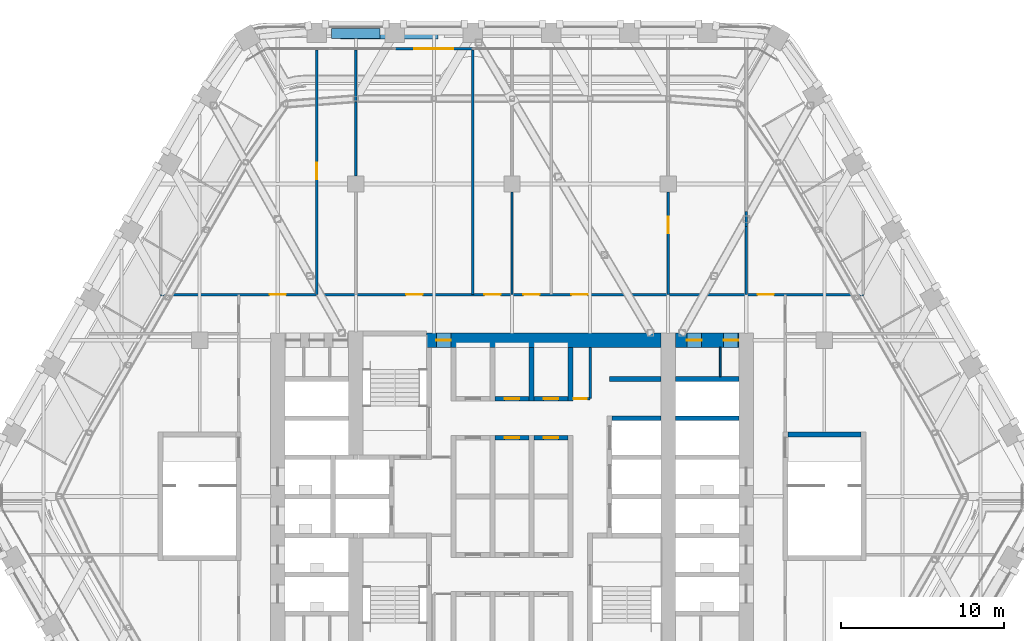
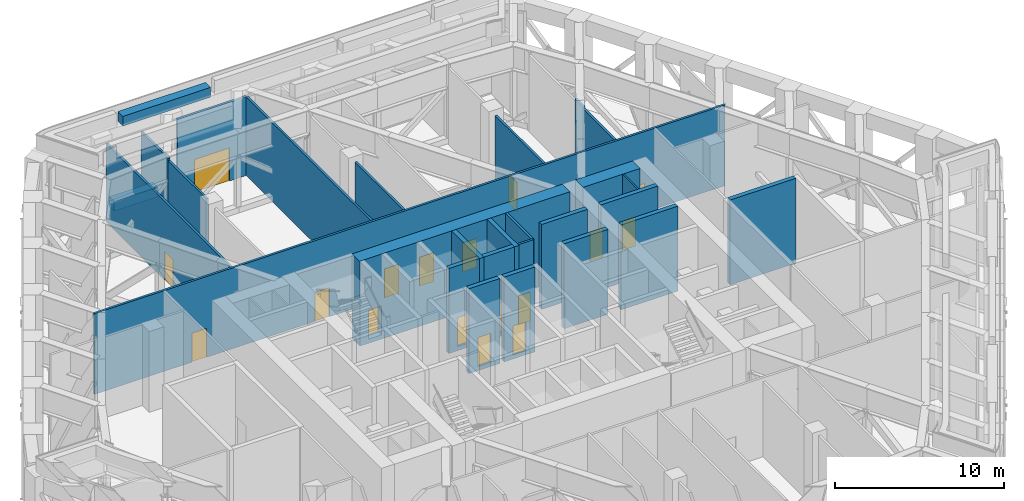
# One storey, part 19 of 27: 28 walls, 17 doors, 17 openings.
"""IFC4 building model written with IfcOpenShell, lengths in metres."""

from ifc_helpers import new_model, si_unit, direction, frame, frame_2d, origin, place, context, subcontext, project, spatial, rectangle, extrude, material, layer, layer_set, type_object, element, fill, save


model = new_model("IFC4")

# Units and contexts
model_context = context("Model", 3, precision=1e-05, world=origin(), true_north=direction((0.0, 1.0)))
body_context = subcontext(model_context, "Body", "Model", "MODEL_VIEW")
ifc_project = project(units=[si_unit("LENGTHUNIT", "METRE"), si_unit("AREAUNIT", "SQUARE_METRE"), si_unit("VOLUMEUNIT", "CUBIC_METRE"), si_unit("PLANEANGLEUNIT", "RADIAN"), si_unit("MASSUNIT", "GRAM", prefix="KILO")], contexts=[model_context])

# Site, building, storey
site_placement = place(None, origin())
site = spatial("IfcSite", under=ifc_project, at=site_placement, CompositionType="ELEMENT")
building_placement = place(site_placement, origin())
building = spatial("IfcBuilding", under=site, at=building_placement, Name="Kolab Exchange Tower", CompositionType="ELEMENT")
storey_placement = place(building_placement, frame((0.0, 0.0, 127.39990234375)))
storey = spatial("IfcBuildingStorey", under=building, at=storey_placement, Name="L25", CompositionType="ELEMENT", Elevation=127.39990234375)

# Wall, opening, door
ifc_material_1 = material(Name="Concrete C70/85", Category="concrete")
ifc_layer_1 = layer(ifc_material_1, 0.89990234375)
ifc_layer_set_1 = layer_set([ifc_layer_1], Name="Concrete C70/85")
wall_type_1 = type_object("IfcWallType", Name="CORE WALL 900 C70/85", PredefinedType="SHEAR", material=ifc_layer_set_1)
wall_1_placement = place(storey_placement, frame((-5.25, 9.60009765625, -0.2998046875), z_axis=(0.0, 0.0, 1.0), x_axis=(1.0, 0.0, 0.0)))
wall_1 = element("IfcWall", 1, at=wall_1_placement, inside=storey, type_object=wall_type_1, Name="wall/L25/core/052", PredefinedType="SHEAR", context=body_context, shape_type="SweptSolid", body=[
    extrude(rectangle(XDim=14.39990234375, YDim=0.89990234375, at=frame_2d((7.199951171875, 0.0))), origin(), (0.0, 0.0, 1.0), 6.14990234375),
])
opening_1_placement = place(wall_1_placement, frame((0.60009765625, 0.0, 0.300048828125)))
opening_1 = element("IfcOpeningElement", 2, at=opening_1_placement, cuts=wall_1, Name="Opening D6-273", PredefinedType="OPENING", context=body_context, shape_type="SweptSolid", body=[
    extrude(rectangle(XDim=0.89990234375, YDim=2.10009765625, at=frame_2d((0.449951171875, 1.050048828125))), frame((0.0, 0.4599609375, 0.0), z_axis=(0.0, -1.0, 0.0), x_axis=(1.0, 0.0, 0.0)), (0.0, 0.0, 1.0), 0.919921875),
])
ifc_material_2 = material(Name="Steel S235", Category="steel")
door_type_1 = type_object("IfcDoorType", Name="CORE DOOR 900 EI 120", OperationType="SINGLE_SWING_LEFT", PredefinedType="DOOR", material=ifc_material_2)
door_1_placement = place(opening_1_placement, frame((0.89990234375, 0.0, 0.0), z_axis=(0.0, 0.0, 1.0), x_axis=(-1.0, 0.0, 0.0)))
door_1 = element("IfcDoor", 3, at=door_1_placement, inside=storey, type_object=door_type_1, Name="Core lobby door", OperationType="SINGLE_SWING_RIGHT", OverallHeight=2.10009765625, OverallWidth=0.89990234375, PredefinedType="DOOR", context=body_context, shape_type="SweptSolid", body=[
    extrude(rectangle(XDim=0.89990234375, YDim=2.10009765625, at=frame_2d((0.449951171875, 1.050048828125))), frame((0.0, 0.02490234375, 0.0), z_axis=(0.0, -1.0, 0.0), x_axis=(1.0, 0.0, 0.0)), (0.0, 0.0, 1.0), 0.050048828125),
])
fill(opening_1, door_1)

# Wall, openings, doors
wall_2_placement = place(storey_placement, frame((10.050048828125, 9.60009765625, -0.2998046875), z_axis=(0.0, 0.0, 1.0), x_axis=(1.0, 0.0, 0.0)))
wall_2 = element("IfcWall", 4, at=wall_2_placement, inside=storey, type_object=wall_type_1, Name="wall/L25/core/053", PredefinedType="SHEAR", context=body_context, shape_type="SweptSolid", body=[
    extrude(rectangle(XDim=3.89990234375, YDim=0.89990234375, at=frame_2d((1.949951171875, 0.0))), origin(), (0.0, 0.0, 1.0), 6.14990234375),
])
opening_2_placement = place(wall_2_placement, frame((0.699951171875, 0.0, 0.300048828125)))
opening_2 = element("IfcOpeningElement", 5, at=opening_2_placement, cuts=wall_2, Name="Opening D6-284", PredefinedType="OPENING", context=body_context, shape_type="SweptSolid", body=[
    extrude(rectangle(XDim=0.89990234375, YDim=2.10009765625, at=frame_2d((0.449951171875, 1.050048828125))), frame((0.0, 0.4599609375, 0.0), z_axis=(0.0, -1.0, 0.0), x_axis=(1.0, 0.0, 0.0)), (0.0, 0.0, 1.0), 0.919921875),
])
opening_3_placement = place(wall_2_placement, frame((2.949951171875, 0.0, 0.300048828125)))
opening_3 = element("IfcOpeningElement", 6, at=opening_3_placement, cuts=wall_2, Name="Opening D6-285", PredefinedType="OPENING", context=body_context, shape_type="SweptSolid", body=[
    extrude(rectangle(XDim=0.89990234375, YDim=2.10009765625, at=frame_2d((0.449951171875, 1.050048828125))), frame((0.0, 0.4599609375, 0.0), z_axis=(0.0, -1.0, 0.0), x_axis=(1.0, 0.0, 0.0)), (0.0, 0.0, 1.0), 0.919921875),
])
door_2_placement = place(opening_2_placement, frame((0.89990234375, 0.0, 0.0), z_axis=(0.0, 0.0, 1.0), x_axis=(-1.0, 0.0, 0.0)))
door_2 = element("IfcDoor", 7, at=door_2_placement, inside=storey, type_object=door_type_1, Name="Service room door", OperationType="SINGLE_SWING_RIGHT", OverallHeight=2.10009765625, OverallWidth=0.89990234375, PredefinedType="DOOR", context=body_context, shape_type="SweptSolid", body=[
    extrude(rectangle(XDim=0.89990234375, YDim=2.10009765625, at=frame_2d((0.449951171875, 1.050048828125))), frame((0.0, 0.02490234375, 0.0), z_axis=(0.0, -1.0, 0.0), x_axis=(1.0, 0.0, 0.0)), (0.0, 0.0, 1.0), 0.050048828125),
])
fill(opening_2, door_2)
door_3_placement = place(opening_3_placement, frame((0.89990234375, 0.0, 0.0), z_axis=(0.0, 0.0, 1.0), x_axis=(-1.0, 0.0, 0.0)))
door_3 = element("IfcDoor", 8, at=door_3_placement, inside=storey, type_object=door_type_1, Name="Service room door", OperationType="SINGLE_SWING_LEFT", OverallHeight=2.10009765625, OverallWidth=0.89990234375, PredefinedType="DOOR", context=body_context, shape_type="SweptSolid", body=[
    extrude(rectangle(XDim=0.89990234375, YDim=2.10009765625, at=frame_2d((0.449951171875, 1.050048828125))), frame((0.0, 0.02490234375, 0.0), z_axis=(0.0, -1.0, 0.0), x_axis=(1.0, 0.0, 0.0)), (0.0, 0.0, 1.0), 0.050048828125),
])
fill(opening_3, door_3)

# Wall, opening, door
ifc_material_3 = material(Name="Aluminium EN AW-6063 T6", Category="aluminium")
ifc_layer_2 = layer(ifc_material_3, 0.159912109375)
ifc_layer_set_2 = layer_set([ifc_layer_2], Name="Aluminium EN AW-6063 T6")
wall_type_2 = type_object("IfcWallType", Name="DOOR SURROUND WALL 160 ALUMINIUM FRAMED", PredefinedType="PARTITIONING", material=ifc_layer_set_2)
wall_3_placement = place(storey_placement, frame((-7.169921875, 27.5185546875, 0.0), z_axis=(0.0, 0.0, 1.0), x_axis=(1.0, 0.0, 0.0)))
wall_3 = element("IfcWall", 9, at=wall_3_placement, inside=storey, type_object=wall_type_2, Name="Door surround wall", PredefinedType="PARTITIONING", context=body_context, shape_type="SweptSolid", body=[
    extrude(rectangle(XDim=4.739990234375, YDim=0.159912109375, at=frame_2d((2.3701171875, 0.0))), origin(), (0.0, 0.0, 1.0), 5.7001953125),
])
opening_4_placement = place(wall_3_placement, frame((1.169921875, 0.0, 0.0)))
opening_4 = element("IfcOpeningElement", 10, at=opening_4_placement, cuts=wall_3, Name="Opening GD1-052", PredefinedType="OPENING", context=body_context, shape_type="SweptSolid", body=[
    extrude(rectangle(XDim=2.39990234375, YDim=2.39990234375, at=frame_2d((1.199951171875, 1.199951171875))), frame((0.0, 0.08984375, 0.0), z_axis=(0.0, -1.0, 0.0), x_axis=(1.0, 0.0, 0.0)), (0.0, 0.0, 1.0), 0.179931640625),
])
door_type_2 = type_object("IfcDoorType", Name="LOGGIA SLIDING GLASS DOOR 2400 X 2400", OperationType="DOUBLE_DOOR_SINGLE_SWING", PredefinedType="DOOR", material=ifc_material_3)
door_4_placement = place(opening_4_placement, origin())
door_4 = element("IfcDoor", 11, at=door_4_placement, inside=storey, type_object=door_type_2, Name="Loggia door", OperationType="DOUBLE_DOOR_SLIDING", OverallHeight=2.39990234375, OverallWidth=2.39990234375, PredefinedType="DOOR", context=body_context, shape_type="SweptSolid", body=[
    extrude(rectangle(XDim=2.39990234375, YDim=2.39990234375, at=frame_2d((1.199951171875, 1.199951171875))), frame((0.0, 0.02490234375, 0.0), z_axis=(0.0, -1.0, 0.0), x_axis=(1.0, 0.0, 0.0)), (0.0, 0.0, 1.0), 0.050048828125),
])
fill(opening_4, door_4)

ifc_material_4 = material(Name="Concrete C50/60", Category="concrete")
ifc_layer_3 = layer(ifc_material_4, 0.300048828125)
ifc_layer_set_3 = layer_set([ifc_layer_3], Name="Concrete C50/60")
wall_type_3 = type_object("IfcWallType", Name="LIFT SHAFT WALL 300 C50/60", PredefinedType="STANDARD", material=ifc_layer_set_3)
wall_4_placement = place(storey_placement, frame((-1.050048828125, 3.60009765625, -0.2998046875), z_axis=(0.0, 0.0, 1.0), x_axis=(1.0, 0.0, 0.0)))
wall_4 = element("IfcWall", 12, at=wall_4_placement, inside=storey, type_object=wall_type_3, Name="wall/L25/core/038", PredefinedType="STANDARD", context=body_context, shape_type="SweptSolid", body=[
    extrude(rectangle(XDim=2.10009765625, YDim=0.300048828125, at=frame_2d((1.050048828125, 0.0))), origin(), (0.0, 0.0, 1.0), 6.14990234375),
])
opening_5_placement = place(wall_4_placement, frame((0.60009765625, 0.0, 0.300048828125)))
opening_5 = element("IfcOpeningElement", 13, at=opening_5_placement, cuts=wall_4, Name="Opening D6-265", PredefinedType="OPENING", context=body_context, shape_type="SweptSolid", body=[
    extrude(rectangle(XDim=0.89990234375, YDim=2.10009765625, at=frame_2d((0.449951171875, 1.050048828125))), frame((0.0, 0.16015625, 0.0), z_axis=(0.0, -1.0, 0.0), x_axis=(1.0, 0.0, 0.0)), (0.0, 0.0, 1.0), 0.320068359375),
])
door_5_placement = place(opening_5_placement, frame((0.89990234375, 0.0, 0.0), z_axis=(0.0, 0.0, 1.0), x_axis=(-1.0, 0.0, 0.0)))
door_5 = element("IfcDoor", 14, at=door_5_placement, inside=storey, type_object=door_type_1, Name="Service room door", OperationType="SINGLE_SWING_LEFT", OverallHeight=2.10009765625, OverallWidth=0.89990234375, PredefinedType="DOOR", context=body_context, shape_type="SweptSolid", body=[
    extrude(rectangle(XDim=0.89990234375, YDim=2.10009765625, at=frame_2d((0.449951171875, 1.050048828125))), frame((0.0, 0.02490234375, 0.0), z_axis=(0.0, -1.0, 0.0), x_axis=(1.0, 0.0, 0.0)), (0.0, 0.0, 1.0), 0.050048828125),
])
fill(opening_5, door_5)

wall_5_placement = place(storey_placement, frame((1.35009765625, 3.60009765625, -0.2998046875), z_axis=(0.0, 0.0, 1.0), x_axis=(1.0, 0.0, 0.0)))
wall_5 = element("IfcWall", 15, at=wall_5_placement, inside=storey, type_object=wall_type_3, Name="wall/L25/core/039", PredefinedType="STANDARD", context=body_context, shape_type="SweptSolid", body=[
    extrude(rectangle(XDim=2.099853515625, YDim=0.300048828125, at=frame_2d((1.0498046875, 0.0))), origin(), (0.0, 0.0, 1.0), 6.14990234375),
])
opening_6_placement = place(wall_5_placement, frame((0.60009765625, 0.0, 0.300048828125)))
opening_6 = element("IfcOpeningElement", 16, at=opening_6_placement, cuts=wall_5, Name="Opening D6-264", PredefinedType="OPENING", context=body_context, shape_type="SweptSolid", body=[
    extrude(rectangle(XDim=0.89990234375, YDim=2.10009765625, at=frame_2d((0.449951171875, 1.050048828125))), frame((0.0, 0.16015625, 0.0), z_axis=(0.0, -1.0, 0.0), x_axis=(1.0, 0.0, 0.0)), (0.0, 0.0, 1.0), 0.320068359375),
])
door_6_placement = place(opening_6_placement, frame((0.89990234375, 0.0, 0.0), z_axis=(0.0, 0.0, 1.0), x_axis=(-1.0, 0.0, 0.0)))
door_6 = element("IfcDoor", 17, at=door_6_placement, inside=storey, type_object=door_type_1, Name="Service room door", OperationType="SINGLE_SWING_RIGHT", OverallHeight=2.10009765625, OverallWidth=0.89990234375, PredefinedType="DOOR", context=body_context, shape_type="SweptSolid", body=[
    extrude(rectangle(XDim=0.89990234375, YDim=2.10009765625, at=frame_2d((0.449951171875, 1.050048828125))), frame((0.0, 0.02490234375, 0.0), z_axis=(0.0, -1.0, 0.0), x_axis=(1.0, 0.0, 0.0)), (0.0, 0.0, 1.0), 0.050048828125),
])
fill(opening_6, door_6)

# Walls
wall_6_placement = place(storey_placement, frame((6.14990234375, 4.800048828125, -0.2998046875), z_axis=(0.0, 0.0, 1.0), x_axis=(1.0, 0.0, 0.0)))
element("IfcWall", 18, at=wall_6_placement, inside=storey, type_object=wall_type_3, Name="wall/L25/core/043", PredefinedType="STANDARD", context=body_context, shape_type="SweptSolid", body=[
    extrude(rectangle(XDim=3.0, YDim=0.300048828125, at=frame_2d((1.5, 0.0))), origin(), (0.0, 0.0, 1.0), 6.14990234375),
])
wall_7_placement = place(storey_placement, frame((10.050048828125, 4.800048828125, -0.2998046875), z_axis=(0.0, 0.0, 1.0), x_axis=(1.0, 0.0, 0.0)))
element("IfcWall", 19, at=wall_7_placement, inside=storey, type_object=wall_type_3, Name="wall/L25/core/044", PredefinedType="STANDARD", context=body_context, shape_type="SweptSolid", body=[
    extrude(rectangle(XDim=3.89990234375, YDim=0.300048828125, at=frame_2d((1.949951171875, 0.0))), origin(), (0.0, 0.0, 1.0), 6.14990234375),
])

# Wall, opening, door
wall_8_placement = place(storey_placement, frame((-1.050048828125, 6.0, -0.2998046875), z_axis=(0.0, 0.0, 1.0), x_axis=(1.0, 0.0, 0.0)))
wall_8 = element("IfcWall", 20, at=wall_8_placement, inside=storey, type_object=wall_type_3, Name="wall/L25/core/046", PredefinedType="STANDARD", context=body_context, shape_type="SweptSolid", body=[
    extrude(rectangle(XDim=2.10009765625, YDim=0.300048828125, at=frame_2d((1.050048828125, 0.0))), origin(), (0.0, 0.0, 1.0), 6.14990234375),
])
opening_7_placement = place(wall_8_placement, frame((0.60009765625, 0.0, 0.300048828125)))
opening_7 = element("IfcOpeningElement", 21, at=opening_7_placement, cuts=wall_8, Name="Opening D6-262", PredefinedType="OPENING", context=body_context, shape_type="SweptSolid", body=[
    extrude(rectangle(XDim=0.89990234375, YDim=2.10009765625, at=frame_2d((0.449951171875, 1.050048828125))), frame((0.0, 0.16015625, 0.0), z_axis=(0.0, -1.0, 0.0), x_axis=(1.0, 0.0, 0.0)), (0.0, 0.0, 1.0), 0.320068359375),
])
door_7_placement = place(opening_7_placement, origin())
door_7 = element("IfcDoor", 22, at=door_7_placement, inside=storey, type_object=door_type_1, Name="Service room door", OperationType="SINGLE_SWING_RIGHT", OverallHeight=2.10009765625, OverallWidth=0.89990234375, PredefinedType="DOOR", context=body_context, shape_type="SweptSolid", body=[
    extrude(rectangle(XDim=0.89990234375, YDim=2.10009765625, at=frame_2d((0.449951171875, 1.050048828125))), frame((0.0, 0.02490234375, 0.0), z_axis=(0.0, -1.0, 0.0), x_axis=(1.0, 0.0, 0.0)), (0.0, 0.0, 1.0), 0.050048828125),
])
fill(opening_7, door_7)

wall_9_placement = place(storey_placement, frame((1.35009765625, 6.0, -0.2998046875), z_axis=(0.0, 0.0, 1.0), x_axis=(1.0, 0.0, 0.0)))
wall_9 = element("IfcWall", 23, at=wall_9_placement, inside=storey, type_object=wall_type_3, Name="wall/L25/core/047", PredefinedType="STANDARD", context=body_context, shape_type="SweptSolid", body=[
    extrude(rectangle(XDim=2.099853515625, YDim=0.300048828125, at=frame_2d((1.0498046875, 0.0))), origin(), (0.0, 0.0, 1.0), 6.14990234375),
])
opening_8_placement = place(wall_9_placement, frame((0.60009765625, 0.0, 0.300048828125)))
opening_8 = element("IfcOpeningElement", 24, at=opening_8_placement, cuts=wall_9, Name="Opening D6-261", PredefinedType="OPENING", context=body_context, shape_type="SweptSolid", body=[
    extrude(rectangle(XDim=0.89990234375, YDim=2.10009765625, at=frame_2d((0.449951171875, 1.050048828125))), frame((0.0, 0.16015625, 0.0), z_axis=(0.0, -1.0, 0.0), x_axis=(1.0, 0.0, 0.0)), (0.0, 0.0, 1.0), 0.320068359375),
])
door_8_placement = place(opening_8_placement, origin())
door_8 = element("IfcDoor", 25, at=door_8_placement, inside=storey, type_object=door_type_1, Name="Service room door", OperationType="SINGLE_SWING_RIGHT", OverallHeight=2.10009765625, OverallWidth=0.89990234375, PredefinedType="DOOR", context=body_context, shape_type="SweptSolid", body=[
    extrude(rectangle(XDim=0.89990234375, YDim=2.10009765625, at=frame_2d((0.449951171875, 1.050048828125))), frame((0.0, 0.02490234375, 0.0), z_axis=(0.0, -1.0, 0.0), x_axis=(1.0, 0.0, 0.0)), (0.0, 0.0, 1.0), 0.050048828125),
])
fill(opening_8, door_8)

# Walls
wall_10_placement = place(storey_placement, frame((6.0, 7.199951171875, -0.2998046875), z_axis=(0.0, 0.0, 1.0), x_axis=(1.0, 0.0, 0.0)))
element("IfcWall", 26, at=wall_10_placement, inside=storey, type_object=wall_type_3, Name="wall/L25/core/049", PredefinedType="STANDARD", context=body_context, shape_type="SweptSolid", body=[
    extrude(rectangle(XDim=3.14990234375, YDim=0.300048828125, at=frame_2d((1.574951171875, 0.0))), origin(), (0.0, 0.0, 1.0), 6.14990234375),
])
wall_11_placement = place(storey_placement, frame((10.050048828125, 7.199951171875, -0.2998046875), z_axis=(0.0, 0.0, 1.0), x_axis=(1.0, 0.0, 0.0)))
element("IfcWall", 27, at=wall_11_placement, inside=storey, type_object=wall_type_3, Name="wall/L25/core/050", PredefinedType="STANDARD", context=body_context, shape_type="SweptSolid", body=[
    extrude(rectangle(XDim=3.89990234375, YDim=0.300048828125, at=frame_2d((1.949951171875, 0.0))), origin(), (0.0, 0.0, 1.0), 6.14990234375),
])
for number, where, z_axis, x_axis, name in (
    (28, (1.199951171875, 5.85009765625, -0.2998046875), (0.0, 0.0, 1.0), (0.0, 1.0, 0.0), "wall/L25/core/074"),
    (29, (3.60009765625, 5.85009765625, -0.2998046875), (0.0, 0.0, 1.0), (0.0, 1.0, 0.0), "wall/L25/core/077"),
):
    element("IfcWall", number, at=place(storey_placement, frame(where, z_axis=z_axis, x_axis=x_axis)), inside=storey, type_object=wall_type_3, Name=name, PredefinedType="STANDARD", context=body_context, shape_type="SweptSolid", body=[
        extrude(rectangle(XDim=3.2998046875, YDim=0.300048828125, at=frame_2d((1.64990234375, 0.0))), origin(), (0.0, 0.0, 1.0), 6.14990234375),
    ])
ifc_material_5 = material(Name="Gypsum board", Category="gypsum")
ifc_layer_4 = layer(ifc_material_5, 0.10009765625)
ifc_layer_set_4 = layer_set([ifc_layer_4], Name="Gypsum board")
wall_type_4 = type_object("IfcWallType", Name="PARTITION 100", PredefinedType="PARTITIONING", material=ifc_layer_set_4)
wall_12_placement = place(storey_placement, frame((12.800048828125, 7.35009765625, 0.0), z_axis=(0.0, 0.0, 1.0), x_axis=(0.0, 1.0, 0.0)))
element("IfcWall", 30, at=wall_12_placement, inside=storey, type_object=wall_type_4, Name="Partition 005", PredefinedType="PARTITIONING", context=body_context, shape_type="SweptSolid", body=[
    extrude(rectangle(XDim=1.7998046875, YDim=0.10009765625, at=frame_2d((0.89990234375, 0.0))), origin(), (0.0, 0.0, 1.0), 5.85009765625),
])
ifc_layer_5 = layer(ifc_material_5, 0.14990234375)
ifc_layer_set_5 = layer_set([ifc_layer_5], Name="Gypsum board")
wall_type_5 = type_object("IfcWallType", Name="PARTITION 150 FIRE-RATED", PredefinedType="PARTITIONING", material=ifc_layer_set_5)
wall_13_placement = place(storey_placement, frame((14.39990234375, 12.39990234375, 0.0), z_axis=(0.0, 0.0, 1.0), x_axis=(0.0, 1.0, 0.0)))
element("IfcWall", 31, at=wall_13_placement, inside=storey, type_object=wall_type_5, Name="Partition 004", PredefinedType="PARTITIONING", context=body_context, shape_type="SweptSolid", body=[
    extrude(rectangle(XDim=4.17333984375, YDim=0.14990234375, at=frame_2d((2.086669921875, 0.0))), origin(), (0.0, 0.0, 1.0), 5.5400390625),
])
wall_14_placement = place(storey_placement, frame((14.39990234375, 16.5732421875, 0.0), z_axis=(0.0, 0.0, 1.0), x_axis=(0.0, 1.0, 0.0)))
element("IfcWall", 32, at=wall_14_placement, inside=storey, type_object=wall_type_5, Name="Partition 004", PredefinedType="PARTITIONING", context=body_context, shape_type="SweptSolid", body=[
    extrude(rectangle(XDim=0.93896484375, YDim=0.14990234375, at=frame_2d((0.469482421875, 0.0))), origin(), (0.0, 0.0, 1.0), 5.7001953125),
])

# Wall, opening, door
wall_15_placement = place(storey_placement, frame((9.60009765625, 12.39990234375, 0.0), z_axis=(0.0, 0.0, 1.0), x_axis=(0.0, 1.0, 0.0)))
wall_15 = element("IfcWall", 33, at=wall_15_placement, inside=storey, type_object=wall_type_5, Name="Partition 010", PredefinedType="PARTITIONING", context=body_context, shape_type="SweptSolid", body=[
    extrude(rectangle(XDim=6.300048828125, YDim=0.14990234375, at=frame_2d((3.14990234375, 0.0))), origin(), (0.0, 0.0, 1.0), 5.443115234375),
])
opening_9_placement = place(wall_15_placement, frame((3.774658203125, 0.0, 0.0)))
opening_9 = element("IfcOpeningElement", 34, at=opening_9_placement, cuts=wall_15, Name="Opening D1-364", PredefinedType="OPENING", context=body_context, shape_type="SweptSolid", body=[
    extrude(rectangle(XDim=1.0, YDim=2.10009765625, at=frame_2d((0.5, 1.050048828125))), frame((0.0, 0.0849609375, 0.0), z_axis=(0.0, -1.0, 0.0), x_axis=(1.0, 0.0, 0.0)), (0.0, 0.0, 1.0), 0.169921875),
])
door_type_3 = type_object("IfcDoorType", Name="FLUSH DOOR 1000 FD60", OperationType="SINGLE_SWING_LEFT", PredefinedType="DOOR", material=ifc_material_2)
door_9_placement = place(opening_9_placement, frame((1.0, 0.0, 0.0), z_axis=(0.0, 0.0, 1.0), x_axis=(-1.0, 0.0, 0.0)))
door_9 = element("IfcDoor", 35, at=door_9_placement, inside=storey, type_object=door_type_3, Name="Door L25-057", OperationType="SINGLE_SWING_LEFT", OverallHeight=2.10009765625, OverallWidth=1.0, PredefinedType="DOOR", context=body_context, shape_type="SweptSolid", body=[
    extrude(rectangle(XDim=1.0, YDim=2.10009765625, at=frame_2d((0.5, 1.050048828125))), frame((0.0, 0.02490234375, 0.0), z_axis=(0.0, -1.0, 0.0), x_axis=(1.0, 0.0, 0.0)), (0.0, 0.0, 1.0), 0.050048828125),
])
fill(opening_9, door_9)

# Walls
wall_16_placement = place(storey_placement, frame((4.800048828125, 6.0, 0.0), z_axis=(0.0, 0.0, 1.0), x_axis=(0.0, 1.0, 0.0)))
element("IfcWall", 36, at=wall_16_placement, inside=storey, type_object=wall_type_5, Name="Partition 013", PredefinedType="PARTITIONING", context=body_context, shape_type="SweptSolid", body=[
    extrude(rectangle(XDim=3.14990234375, YDim=0.14990234375, at=frame_2d((1.574951171875, 0.0))), origin(), (0.0, 0.0, 1.0), 5.85009765625),
])
wall_17_placement = place(storey_placement, frame((0.0, 12.39990234375, 0.0), z_axis=(0.0, 0.0, 1.0), x_axis=(0.0, 1.0, 0.0)))
element("IfcWall", 37, at=wall_17_placement, inside=storey, type_object=wall_type_5, Name="Partition 018", PredefinedType="PARTITIONING", context=body_context, shape_type="SweptSolid", body=[
    extrude(rectangle(XDim=6.300048828125, YDim=0.14990234375, at=frame_2d((3.14990234375, 0.0))), origin(), (0.0, 0.0, 1.0), 5.443115234375),
])
wall_18_placement = place(storey_placement, frame((-2.39990234375, 12.39990234375, 0.0), z_axis=(0.0, 0.0, 1.0), x_axis=(0.0, 1.0, 0.0)))
element("IfcWall", 38, at=wall_18_placement, inside=storey, type_object=wall_type_5, Name="Partition 021", PredefinedType="PARTITIONING", context=body_context, shape_type="SweptSolid", body=[
    extrude(rectangle(XDim=15.03857421875, YDim=0.14990234375, at=frame_2d((7.519287109375, 0.0))), origin(), (0.0, 0.0, 1.0), 5.7001953125),
])
wall_19_placement = place(storey_placement, frame((-9.60009765625, 19.699951171875, 0.0), z_axis=(0.0, 0.0, 1.0), x_axis=(0.0, 1.0, 0.0)))
element("IfcWall", 39, at=wall_19_placement, inside=storey, type_object=wall_type_5, Name="Partition 026", PredefinedType="PARTITIONING", context=body_context, shape_type="SweptSolid", body=[
    extrude(rectangle(XDim=4.53076171875, YDim=0.14990234375, at=frame_2d((2.265380859375, 0.0))), origin(), (0.0, 0.0, 1.0), 5.5400390625),
])
wall_20_placement = place(storey_placement, frame((-9.60009765625, 24.230712890625, 0.0), z_axis=(0.0, 0.0, 1.0), x_axis=(0.0, 1.0, 0.0)))
element("IfcWall", 40, at=wall_20_placement, inside=storey, type_object=wall_type_5, Name="Partition 026", PredefinedType="PARTITIONING", context=body_context, shape_type="SweptSolid", body=[
    extrude(rectangle(XDim=3.19775390625, YDim=0.14990234375, at=frame_2d((1.598876953125, 0.0))), origin(), (0.0, 0.0, 1.0), 5.7001953125),
])

# Wall, opening, door
wall_21_placement = place(storey_placement, frame((-12.0, 12.39990234375, 0.0), z_axis=(0.0, 0.0, 1.0), x_axis=(0.0, 1.0, 0.0)))
wall_21 = element("IfcWall", 41, at=wall_21_placement, inside=storey, type_object=wall_type_5, Name="Partition 030", PredefinedType="PARTITIONING", context=body_context, shape_type="SweptSolid", body=[
    extrude(rectangle(XDim=15.028564453125, YDim=0.14990234375, at=frame_2d((7.51416015625, 0.0))), origin(), (0.0, 0.0, 1.0), 5.7001953125),
])
opening_10_placement = place(wall_21_placement, frame((7.09912109375, 0.0, 0.0)))
opening_10 = element("IfcOpeningElement", 42, at=opening_10_placement, cuts=wall_21, Name="Opening D1-359", PredefinedType="OPENING", context=body_context, shape_type="SweptSolid", body=[
    extrude(rectangle(XDim=1.0, YDim=2.10009765625, at=frame_2d((0.5, 1.050048828125))), frame((0.0, 0.0849609375, 0.0), z_axis=(0.0, -1.0, 0.0), x_axis=(1.0, 0.0, 0.0)), (0.0, 0.0, 1.0), 0.169921875),
])
door_10_placement = place(opening_10_placement, frame((1.0, 0.0, 0.0), z_axis=(0.0, 0.0, 1.0), x_axis=(-1.0, 0.0, 0.0)))
door_10 = element("IfcDoor", 43, at=door_10_placement, inside=storey, type_object=door_type_3, Name="Door L25-052", OperationType="SINGLE_SWING_LEFT", OverallHeight=2.10009765625, OverallWidth=1.0, PredefinedType="DOOR", context=body_context, shape_type="SweptSolid", body=[
    extrude(rectangle(XDim=1.0, YDim=2.10009765625, at=frame_2d((0.5, 1.050048828125))), frame((0.0, 0.02490234375, 0.0), z_axis=(0.0, -1.0, 0.0), x_axis=(1.0, 0.0, 0.0)), (0.0, 0.0, 1.0), 0.050048828125),
])
fill(opening_10, door_10)

wall_22_placement = place(storey_placement, frame((3.75, 6.0, 0.0), z_axis=(0.0, 0.0, 1.0), x_axis=(1.0, 0.0, 0.0)))
wall_22 = element("IfcWall", 44, at=wall_22_placement, inside=storey, type_object=wall_type_5, Name="Partition 046", PredefinedType="PARTITIONING", context=body_context, shape_type="SweptSolid", body=[
    extrude(rectangle(XDim=1.050048828125, YDim=0.14990234375, at=frame_2d((0.52490234375, 0.0))), origin(), (0.0, 0.0, 1.0), 5.85009765625),
])
opening_11_placement = place(wall_22_placement, frame((0.050048828125, 0.0, 0.0)))
opening_11 = element("IfcOpeningElement", 45, at=opening_11_placement, cuts=wall_22, Name="Opening D7-026", PredefinedType="OPENING", context=body_context, shape_type="SweptSolid", body=[
    extrude(rectangle(XDim=0.800048828125, YDim=2.10009765625, at=frame_2d((0.39990234375, 1.050048828125))), frame((0.0, 0.0849609375, 0.0), z_axis=(0.0, -1.0, 0.0), x_axis=(1.0, 0.0, 0.0)), (0.0, 0.0, 1.0), 0.169921875),
])
door_type_4 = type_object("IfcDoorType", Name="FLUSH DOOR 800 FD60", OperationType="SINGLE_SWING_LEFT", PredefinedType="DOOR", material=ifc_material_2)
door_11_placement = place(opening_11_placement, origin())
door_11 = element("IfcDoor", 46, at=door_11_placement, inside=storey, type_object=door_type_4, Name="Door L25-043", OperationType="SINGLE_SWING_RIGHT", OverallHeight=2.10009765625, OverallWidth=0.800048828125, PredefinedType="DOOR", context=body_context, shape_type="SweptSolid", body=[
    extrude(rectangle(XDim=0.800048828125, YDim=2.10009765625, at=frame_2d((0.39990234375, 1.050048828125))), frame((0.0, 0.02490234375, 0.0), z_axis=(0.0, -1.0, 0.0), x_axis=(1.0, 0.0, 0.0)), (0.0, 0.0, 1.0), 0.050048828125),
])
fill(opening_11, door_11)

# Wall, openings, doors
wall_23_placement = place(storey_placement, frame((-21.60009765625, 12.39990234375, 0.0), z_axis=(0.0, 0.0, 1.0), x_axis=(1.0, 0.0, 0.0)))
wall_23 = element("IfcWall", 47, at=wall_23_placement, inside=storey, type_object=wall_type_5, Name="Partition 051", PredefinedType="PARTITIONING", context=body_context, shape_type="SweptSolid", body=[
    extrude(rectangle(XDim=43.2001953125, YDim=0.14990234375, at=frame_2d((21.60009765625, 0.0))), origin(), (0.0, 0.0, 1.0), 5.85009765625),
])
opening_12_placement = place(wall_23_placement, frame((6.699951171875, 0.0, 0.0)))
opening_12 = element("IfcOpeningElement", 48, at=opening_12_placement, cuts=wall_23, Name="Opening D1-358", PredefinedType="OPENING", context=body_context, shape_type="SweptSolid", body=[
    extrude(rectangle(XDim=1.0, YDim=2.10009765625, at=frame_2d((0.5, 1.050048828125))), frame((0.0, 0.0849609375, 0.0), z_axis=(0.0, -1.0, 0.0), x_axis=(1.0, 0.0, 0.0)), (0.0, 0.0, 1.0), 0.169921875),
])
opening_13_placement = place(wall_23_placement, frame((15.10009765625, 0.0, 0.0)))
opening_13 = element("IfcOpeningElement", 49, at=opening_13_placement, cuts=wall_23, Name="Opening D1-360", PredefinedType="OPENING", context=body_context, shape_type="SweptSolid", body=[
    extrude(rectangle(XDim=1.0, YDim=2.10009765625, at=frame_2d((0.5, 1.050048828125))), frame((0.0, 0.0849609375, 0.0), z_axis=(0.0, -1.0, 0.0), x_axis=(1.0, 0.0, 0.0)), (0.0, 0.0, 1.0), 0.169921875),
])
opening_14_placement = place(wall_23_placement, frame((19.89990234375, 0.0, 0.0)))
opening_14 = element("IfcOpeningElement", 50, at=opening_14_placement, cuts=wall_23, Name="Opening D1-361", PredefinedType="OPENING", context=body_context, shape_type="SweptSolid", body=[
    extrude(rectangle(XDim=1.0, YDim=2.10009765625, at=frame_2d((0.5, 1.050048828125))), frame((0.0, 0.0849609375, 0.0), z_axis=(0.0, -1.0, 0.0), x_axis=(1.0, 0.0, 0.0)), (0.0, 0.0, 1.0), 0.169921875),
])
opening_15_placement = place(wall_23_placement, frame((22.300048828125, 0.0, 0.0)))
opening_15 = element("IfcOpeningElement", 51, at=opening_15_placement, cuts=wall_23, Name="Opening D1-362", PredefinedType="OPENING", context=body_context, shape_type="SweptSolid", body=[
    extrude(rectangle(XDim=1.0, YDim=2.10009765625, at=frame_2d((0.5, 1.050048828125))), frame((0.0, 0.0849609375, 0.0), z_axis=(0.0, -1.0, 0.0), x_axis=(1.0, 0.0, 0.0)), (0.0, 0.0, 1.0), 0.169921875),
])
opening_16_placement = place(wall_23_placement, frame((25.2451171875, 0.0, 0.0)))
opening_16 = element("IfcOpeningElement", 52, at=opening_16_placement, cuts=wall_23, Name="Opening D1-363", PredefinedType="OPENING", context=body_context, shape_type="SweptSolid", body=[
    extrude(rectangle(XDim=1.0, YDim=2.10009765625, at=frame_2d((0.5, 1.050048828125))), frame((0.0, 0.0849609375, 0.0), z_axis=(0.0, -1.0, 0.0), x_axis=(1.0, 0.0, 0.0)), (0.0, 0.0, 1.0), 0.169921875),
])
opening_17_placement = place(wall_23_placement, frame((36.699951171875, 0.0, 0.0)))
opening_17 = element("IfcOpeningElement", 53, at=opening_17_placement, cuts=wall_23, Name="Opening D1-365", PredefinedType="OPENING", context=body_context, shape_type="SweptSolid", body=[
    extrude(rectangle(XDim=1.0, YDim=2.10009765625, at=frame_2d((0.5, 1.050048828125))), frame((0.0, 0.0849609375, 0.0), z_axis=(0.0, -1.0, 0.0), x_axis=(1.0, 0.0, 0.0)), (0.0, 0.0, 1.0), 0.169921875),
])
door_12_placement = place(opening_12_placement, origin())
door_12 = element("IfcDoor", 54, at=door_12_placement, inside=storey, type_object=door_type_3, Name="Door L25-051", OperationType="SINGLE_SWING_RIGHT", OverallHeight=2.10009765625, OverallWidth=1.0, PredefinedType="DOOR", context=body_context, shape_type="SweptSolid", body=[
    extrude(rectangle(XDim=1.0, YDim=2.10009765625, at=frame_2d((0.5, 1.050048828125))), frame((0.0, 0.02490234375, 0.0), z_axis=(0.0, -1.0, 0.0), x_axis=(1.0, 0.0, 0.0)), (0.0, 0.0, 1.0), 0.050048828125),
])
fill(opening_12, door_12)
door_13_placement = place(opening_13_placement, origin())
door_13 = element("IfcDoor", 55, at=door_13_placement, inside=storey, type_object=door_type_3, Name="Door L25-053", OperationType="SINGLE_SWING_LEFT", OverallHeight=2.10009765625, OverallWidth=1.0, PredefinedType="DOOR", context=body_context, shape_type="SweptSolid", body=[
    extrude(rectangle(XDim=1.0, YDim=2.10009765625, at=frame_2d((0.5, 1.050048828125))), frame((0.0, 0.02490234375, 0.0), z_axis=(0.0, -1.0, 0.0), x_axis=(1.0, 0.0, 0.0)), (0.0, 0.0, 1.0), 0.050048828125),
])
fill(opening_13, door_13)
door_14_placement = place(opening_14_placement, origin())
door_14 = element("IfcDoor", 56, at=door_14_placement, inside=storey, type_object=door_type_3, Name="Door L25-054", OperationType="SINGLE_SWING_LEFT", OverallHeight=2.10009765625, OverallWidth=1.0, PredefinedType="DOOR", context=body_context, shape_type="SweptSolid", body=[
    extrude(rectangle(XDim=1.0, YDim=2.10009765625, at=frame_2d((0.5, 1.050048828125))), frame((0.0, 0.02490234375, 0.0), z_axis=(0.0, -1.0, 0.0), x_axis=(1.0, 0.0, 0.0)), (0.0, 0.0, 1.0), 0.050048828125),
])
fill(opening_14, door_14)
door_15_placement = place(opening_15_placement, origin())
door_15 = element("IfcDoor", 57, at=door_15_placement, inside=storey, type_object=door_type_3, Name="Door L25-055", OperationType="SINGLE_SWING_LEFT", OverallHeight=2.10009765625, OverallWidth=1.0, PredefinedType="DOOR", context=body_context, shape_type="SweptSolid", body=[
    extrude(rectangle(XDim=1.0, YDim=2.10009765625, at=frame_2d((0.5, 1.050048828125))), frame((0.0, 0.02490234375, 0.0), z_axis=(0.0, -1.0, 0.0), x_axis=(1.0, 0.0, 0.0)), (0.0, 0.0, 1.0), 0.050048828125),
])
fill(opening_15, door_15)
door_16_placement = place(opening_16_placement, origin())
door_16 = element("IfcDoor", 58, at=door_16_placement, inside=storey, type_object=door_type_3, Name="Door L25-056", OperationType="SINGLE_SWING_LEFT", OverallHeight=2.10009765625, OverallWidth=1.0, PredefinedType="DOOR", context=body_context, shape_type="SweptSolid", body=[
    extrude(rectangle(XDim=1.0, YDim=2.10009765625, at=frame_2d((0.5, 1.050048828125))), frame((0.0, 0.02490234375, 0.0), z_axis=(0.0, -1.0, 0.0), x_axis=(1.0, 0.0, 0.0)), (0.0, 0.0, 1.0), 0.050048828125),
])
fill(opening_16, door_16)
door_17_placement = place(opening_17_placement, origin())
door_17 = element("IfcDoor", 59, at=door_17_placement, inside=storey, type_object=door_type_3, Name="Door L25-058", OperationType="SINGLE_SWING_LEFT", OverallHeight=2.10009765625, OverallWidth=1.0, PredefinedType="DOOR", context=body_context, shape_type="SweptSolid", body=[
    extrude(rectangle(XDim=1.0, YDim=2.10009765625, at=frame_2d((0.5, 1.050048828125))), frame((0.0, 0.02490234375, 0.0), z_axis=(0.0, -1.0, 0.0), x_axis=(1.0, 0.0, 0.0)), (0.0, 0.0, 1.0), 0.050048828125),
])
fill(opening_17, door_17)

# Walls
ifc_material_6 = material(Name="Granite facing", Category="masonry")
ifc_layer_6 = layer(ifc_material_6, 0.0400390625)
ifc_material_7 = material(Name="Concrete C40/50 precast", Category="concrete")
ifc_layer_7 = layer(ifc_material_7, 0.56005859375)
ifc_layer_set_6 = layer_set([ifc_layer_6, ifc_layer_7], Name="Concrete C40/50 precast")
wall_type_6 = type_object("IfcWallType", Name="PLANTER BOX 600 X 700 SOIL DEPTH 550", PredefinedType="USERDEFINED", material=ifc_layer_set_6)
wall_24_placement = place(storey_placement, frame((-11.10009765625, 28.448486328125, 0.0), z_axis=(0.0, 0.0, 1.0), x_axis=(1.0, 0.0, 0.0)))
element("IfcWall", 60, at=wall_24_placement, inside=storey, type_object=wall_type_6, Name="Planter", ObjectType="PLANTER", PredefinedType="USERDEFINED", context=body_context, shape_type="SweptSolid", body=[
    extrude(rectangle(XDim=3.0, YDim=0.60009765625, at=frame_2d((1.5, 0.0))), origin(), (0.0, 0.0, 1.0), 0.7001953125),
])
wall_25_placement = place(storey_placement, frame((-10.533935546875, 28.3984375, 6.0), z_axis=(0.0, 0.0, 1.0), x_axis=(1.0, 0.0, 0.0)))
element("IfcWall", 61, at=wall_25_placement, inside=storey, type_object=wall_type_6, Name="Planter", ObjectType="PLANTER", PredefinedType="USERDEFINED", context=body_context, shape_type="SweptSolid", body=[
    extrude(rectangle(XDim=6.0, YDim=0.60009765625, at=frame_2d((3.0, 0.0))), origin(), (0.0, 0.0, 1.0), 0.7001953125),
])
ifc_layer_8 = layer(ifc_material_4, 0.300048828125)
ifc_layer_set_7 = layer_set([ifc_layer_8], Name="Concrete C50/60")
wall_type_7 = type_object("IfcWallType", Name="STAIR ENCLOSURE WALL 300 C50/60", PredefinedType="STANDARD", material=ifc_layer_set_7)
wall_26_placement = place(storey_placement, frame((16.949951171875, 3.800048828125, -0.2998046875), z_axis=(0.0, 0.0, 1.0), x_axis=(1.0, 0.0, 0.0)))
element("IfcWall", 62, at=wall_26_placement, inside=storey, type_object=wall_type_7, Name="wall/L25/core/041", PredefinedType="STANDARD", context=body_context, shape_type="SweptSolid", body=[
    extrude(rectangle(XDim=4.5, YDim=0.300048828125, at=frame_2d((2.25, 0.0))), origin(), (0.0, 0.0, 1.0), 6.14990234375),
])

save(model, "model.ifc")
